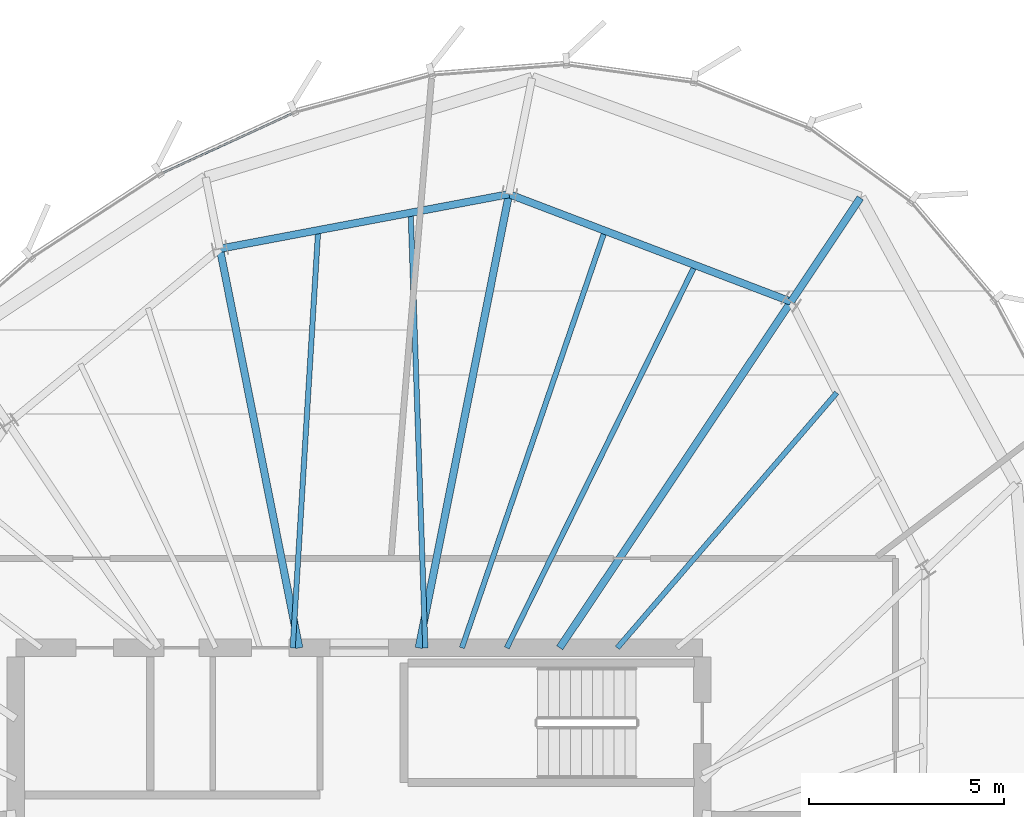
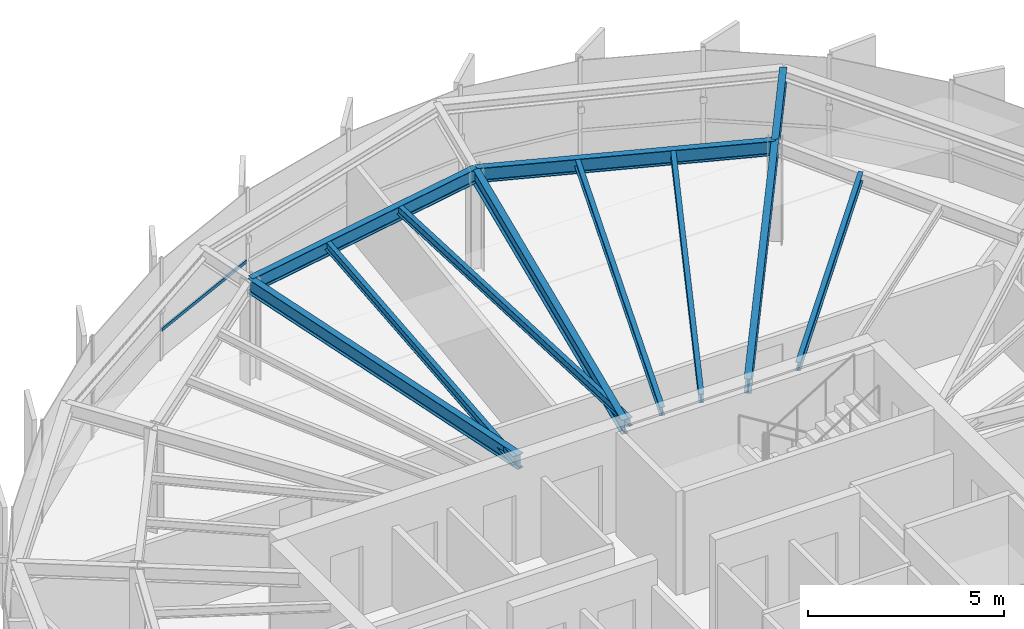
# One storey, part 21 of 32: 11 beams, 1 member, 1 element without a shape of its own.
"""IFC4 building model written with IfcOpenShell, lengths in metres."""

import ifcopenshell
import ifcopenshell.guid

model = None  # the IFC model being written
_history = None  # IfcOwnerHistory: only IFC2X3 demands one
_inside = {}  # id of a spatial element -> (the spatial element, [elements in it])
_under = {}  # id of a project, library or spatial element -> (it, [spatial elements below it])
_declared = {}  # id of a project -> (the project, [libraries it declares])
_typed = {}  # id of a type object -> (the type object, [elements of that type])
_made_of = {}  # id of a material, layer set ... -> (it, [elements and type objects made of it])


def new_model(schema):
    """Start an empty IFC model of exactly this schema.

    Asked for "IFC4X3", IfcOpenShell would pick the latest addendum, in which some entities
    have other attributes; the version numbers below select the first issue.
    IFC2X3 requires an IfcOwnerHistory on every rooted entity: one is made here for all.
    """
    global model, _history
    if schema == "IFC4X3":
        model = ifcopenshell.file(schema_version=(4, 3, 0, 0))
    else:
        model = ifcopenshell.file(schema=schema)
    _inside.clear()
    _under.clear()
    _declared.clear()
    _typed.clear()
    _made_of.clear()
    _history = None
    if model.schema == "IFC2X3":
        org = make("IfcOrganization", Name="unknown")
        user = make(
            "IfcPersonAndOrganization",
            ThePerson=make("IfcPerson", FamilyName="unknown"),
            TheOrganization=org,
        )
        app = make(
            "IfcApplication",
            ApplicationDeveloper=org,
            Version="unknown",
            ApplicationFullName="unknown",
            ApplicationIdentifier="unknown",
        )
        _history = make(
            "IfcOwnerHistory",
            OwningUser=user,
            OwningApplication=app,
            ChangeAction="ADDED",
            CreationDate=0,
        )
    return model


def make(cls, **values):
    """One entity of the class cls with the attributes given. An attribute that is None is left unset."""
    return model.create_entity(
        cls, **{name: value for name, value in values.items() if value is not None}
    )


def rooted(cls, **values):
    """An entity with a GlobalId (a new one), such as an element, a storey or a relation."""
    return make(cls, GlobalId=ifcopenshell.guid.new(), OwnerHistory=_history, **values)


def si_unit(unit_type, name, prefix=None):
    """IfcSIUnit, for example si_unit("LENGTHUNIT", "METRE", prefix="MILLI")."""
    return make("IfcSIUnit", UnitType=unit_type, Prefix=prefix, Name=name)


def assignment(units):
    """IfcUnitAssignment: the units of a project."""
    return None if units is None else make("IfcUnitAssignment", Units=units)


def point(xyz):
    """IfcCartesianPoint."""
    return None if xyz is None else make("IfcCartesianPoint", Coordinates=xyz)


def direction(xyz):
    """IfcDirection."""
    return None if xyz is None else make("IfcDirection", DirectionRatios=xyz)


def frame(location, z_axis=None, x_axis=None):
    """IfcAxis2Placement3D, a coordinate frame: its origin and axes. An axis left out is left unset."""
    return make(
        "IfcAxis2Placement3D",
        Location=point(location),
        Axis=direction(z_axis),
        RefDirection=direction(x_axis),
    )


def frame_2d(location, x_axis=None):
    """IfcAxis2Placement2D, a coordinate frame in the plane: its origin and x axis."""
    return make(
        "IfcAxis2Placement2D", Location=point(location), RefDirection=direction(x_axis)
    )


def origin():
    """The frame at (0, 0, 0) with its axes left unset."""
    return frame((0.0, 0.0, 0.0))


def origin_2d():
    """The frame at (0, 0) in the plane with its x axis left unset."""
    return frame_2d((0.0, 0.0))


def place(relative_to, where):
    """IfcLocalPlacement: puts the frame where relative to a parent placement (None: the world)."""
    return make(
        "IfcLocalPlacement", PlacementRelTo=relative_to, RelativePlacement=where
    )


def context(
    kind, dimensions, precision=None, world=None, true_north=None, identifier=None
):
    """IfcGeometricRepresentationContext, for example the 3D "Model" context."""
    return make(
        "IfcGeometricRepresentationContext",
        ContextIdentifier=identifier,
        ContextType=kind,
        CoordinateSpaceDimension=dimensions,
        Precision=precision,
        WorldCoordinateSystem=world,
        TrueNorth=true_north,
    )


def subcontext(parent, identifier, kind, view, scale=None):
    """IfcGeometricRepresentationSubContext, for example "Body" below "Model"."""
    return make(
        "IfcGeometricRepresentationSubContext",
        ContextIdentifier=identifier,
        ContextType=kind,
        ParentContext=parent,
        TargetScale=scale,
        TargetView=view,
    )


def project(units=None, contexts=None):
    """IfcProject with its units and contexts."""
    return rooted(
        "IfcProject",
        Name="project",
        RepresentationContexts=contexts,
        UnitsInContext=assignment(units),
    )


def spatial(cls, under=None, at=None, **own):
    """A site, building, storey or space (cls), placed at a placement, below another one or the project."""
    s = rooted(cls, ObjectPlacement=at, **own)
    if under is not None:
        _under.setdefault(under.id(), (under, []))[1].append(s)
    return s


def profile(cls, at=None, kind="AREA", **sizes):
    """A parametric profile (cls). Its sizes go by their IFC names, for example OverallWidth=200.0."""
    return make(cls, ProfileType=kind, Position=at, **sizes)


def hollow_rectangle(**sizes):
    """IfcRectangleHollowProfileDef."""
    return profile("IfcRectangleHollowProfileDef", **sizes)


def i_section(**sizes):
    """IfcIShapeProfileDef."""
    return profile("IfcIShapeProfileDef", **sizes)


def extrude(swept, where, along, depth):
    """IfcExtrudedAreaSolid: the profile swept, set in the frame where, extruded along a direction by depth."""
    return make(
        "IfcExtrudedAreaSolid",
        SweptArea=swept,
        Position=where,
        ExtrudedDirection=direction(along),
        Depth=depth,
    )


def shape(context_of_items, identifier, shape_type, items):
    """IfcShapeRepresentation: the items that make up one representation, for example the "Body"."""
    return make(
        "IfcShapeRepresentation",
        ContextOfItems=context_of_items,
        RepresentationIdentifier=identifier,
        RepresentationType=shape_type,
        Items=items,
    )


def source(mapping_origin, context_of_items, identifier, shape_type, items):
    """IfcRepresentationMap: a shape defined once, which mapped items show again and again."""
    return make(
        "IfcRepresentationMap",
        MappingOrigin=mapping_origin,
        MappedRepresentation=shape(context_of_items, identifier, shape_type, items),
    )


def transform(
    local_origin,
    x_axis=None,
    y_axis=None,
    z_axis=None,
    scale=None,
    scale2=None,
    scale3=None,
    uniform=True,
):
    """IfcCartesianTransformationOperator3D, or its non-uniform kind. x_axis, y_axis, z_axis: its Axis1, 2, 3."""
    if uniform:
        return make(
            "IfcCartesianTransformationOperator3D",
            Axis1=direction(x_axis),
            Axis2=direction(y_axis),
            LocalOrigin=point(local_origin),
            Scale=scale,
            Axis3=direction(z_axis),
        )
    return make(
        "IfcCartesianTransformationOperator3DnonUniform",
        Axis1=direction(x_axis),
        Axis2=direction(y_axis),
        LocalOrigin=point(local_origin),
        Scale=scale,
        Axis3=direction(z_axis),
        Scale2=scale2,
        Scale3=scale3,
    )


def mapped(mapping_source, mapping_target):
    """IfcMappedItem: shows the shape of a source again, moved by a transform."""
    return make(
        "IfcMappedItem", MappingSource=mapping_source, MappingTarget=mapping_target
    )


def material(Name=None, Category=None):
    """IfcMaterial."""
    return make("IfcMaterial", Name=Name, Category=Category)


def layer(
    of_material, thickness, ventilated=None, Name=None, Category=None, Priority=None
):
    """IfcMaterialLayer: one layer of a wall or slab, of a material (None: an air gap)."""
    return make(
        "IfcMaterialLayer",
        Material=of_material,
        LayerThickness=thickness,
        IsVentilated=ventilated,
        Name=Name,
        Category=Category,
        Priority=Priority,
    )


def layer_set(layers, Name=None):
    """IfcMaterialLayerSet."""
    return make("IfcMaterialLayerSet", MaterialLayers=layers, LayerSetName=Name)


def material_profile(
    of_material, cross_section, Name=None, Category=None, Priority=None
):
    """IfcMaterialProfile: a cross section and its material."""
    return make(
        "IfcMaterialProfile",
        Name=Name,
        Material=of_material,
        Profile=cross_section,
        Priority=Priority,
        Category=Category,
    )


def profile_set(profiles, Name=None, composite=None):
    """IfcMaterialProfileSet."""
    return make(
        "IfcMaterialProfileSet",
        Name=Name,
        MaterialProfiles=profiles,
        CompositeProfile=composite,
    )


def made_of(thing, what):
    """Note that an element or type object is made of a material, layer set ...; save() writes the relation."""
    if what is not None:
        _made_of.setdefault(what.id(), (what, []))[1].append(thing)
    return thing


def type_object(cls, material=None, **own):
    """A type object (cls), such as IfcWallType, which elements share."""
    return made_of(rooted(cls, **own), material)


def element(
    cls,
    number,
    at=None,
    inside=None,
    cuts=None,
    type_object=None,
    material=None,
    context=None,
    identifier="Body",
    shape_type=None,
    held_by="IfcProductDefinitionShape",
    body=None,
    shapes=None,
    **own,
):
    """One element of the class cls, such as IfcWall. Its Tag is "e" and its number.

    at: its placement. inside: the storey or other place that contains it. cuts: it is an
    opening in that element (IfcRelVoidsElement). A single representation is given by context,
    identifier, shape_type and body (its items); several are given by shapes. held_by: the class
    of the entity that holds the representations. save() writes the other relations.
    """
    e = rooted(cls, Tag="e%d" % number, ObjectPlacement=at, **own)
    if body is not None:
        shapes = [shape(context, identifier, shape_type, body)]
    if shapes is not None:
        e.Representation = make(held_by, Representations=shapes)
    if inside is not None:
        _inside.setdefault(inside.id(), (inside, []))[1].append(e)
    if cuts is not None:
        rooted(
            "IfcRelVoidsElement", RelatingBuildingElement=cuts, RelatedOpeningElement=e
        )
    if type_object is not None:
        _typed.setdefault(type_object.id(), (type_object, []))[1].append(e)
    return made_of(e, material)


def aggregate(whole, parts):
    """IfcRelAggregates: a whole, such as a stair, and the parts it consists of."""
    return rooted("IfcRelAggregates", RelatingObject=whole, RelatedObjects=parts)


def save(model, path):
    """Write the relations noted so far, then the file.

    IfcRelAggregates (storeys below a building ...), IfcRelContainedInSpatialStructure (elements
    in a storey), IfcRelDefinesByType, IfcRelAssociatesMaterial and IfcRelDeclares: one each for
    every whole, place, type object, material and project.
    """
    for whole, parts in _under.values():
        aggregate(whole, parts)
    for where, things in _inside.values():
        rooted(
            "IfcRelContainedInSpatialStructure",
            RelatedElements=things,
            RelatingStructure=where,
        )
    for kind, things in _typed.values():
        rooted("IfcRelDefinesByType", RelatedObjects=things, RelatingType=kind)
    for what, things in _made_of.values():
        rooted("IfcRelAssociatesMaterial", RelatedObjects=things, RelatingMaterial=what)
    for by, libraries in _declared.values():
        rooted("IfcRelDeclares", RelatingContext=by, RelatedDefinitions=libraries)
    model.write(path)


model = new_model("IFC4")

# Units and contexts
model_context = context("Model", 3, precision=1e-05, world=origin(), true_north=direction((0.0, 1.0)))
body_context = subcontext(model_context, "Body", "Model", "MODEL_VIEW")
ifc_project = project(units=[si_unit("LENGTHUNIT", "METRE"), si_unit("AREAUNIT", "SQUARE_METRE"), si_unit("VOLUMEUNIT", "CUBIC_METRE"), si_unit("PLANEANGLEUNIT", "RADIAN"), si_unit("MASSUNIT", "GRAM", prefix="KILO"), si_unit("THERMODYNAMICTEMPERATUREUNIT", "KELVIN")], contexts=[model_context])

# Site, building, storey
site_placement = place(None, origin())
site = spatial("IfcSite", under=ifc_project, at=site_placement, CompositionType="ELEMENT")
building_placement = place(site_placement, origin())
building = spatial("IfcBuilding", under=site, at=building_placement, Name="Kethvar Cultural Tower", CompositionType="ELEMENT")
storey_placement = place(building_placement, frame((0.0, 0.0, 280.14990234375)))
storey = spatial("IfcBuildingStorey", under=building, at=storey_placement, Name="L74", CompositionType="ELEMENT", Elevation=280.14990234375)

# Beams
ifc_material_1 = material(Name="Steel S355J2", Category="steel")
ifc_material_profile_1 = material_profile(ifc_material_1, i_section(OverallWidth=0.18994140625, OverallDepth=0.449951171875, WebThickness=0.009521484375, FlangeThickness=0.0146484375, FilletRadius=0.02099609375, at=origin_2d()), Name="Steel S355J2 — IPE450")
ifc_profile_set_1 = profile_set([ifc_material_profile_1], Name="Steel S355J2 — IPE450")
beam_type_1 = type_object("IfcBeamType", Name="BM-IPE450", PredefinedType="BEAM", material=ifc_profile_set_1)
shared_shape_1 = source(origin(), body_context, "Body", "SweptSolid", [
    extrude(i_section(OverallWidth=0.18994140625, OverallDepth=0.449951171875, WebThickness=0.009521484375, FlangeThickness=0.0146484375, FilletRadius=0.02099609375, at=origin_2d()), origin(), (0.0, 0.0, 1.0), 10.673828125),
])
beam_1_placement = place(storey_placement, frame((51.945068359375, 35.5, 2.983154296875), z_axis=(0.555576086183, 0.831465701314, 0.0), x_axis=(-0.831465701314, 0.555576086183, 0.0)))
element("IfcBeam", 1, at=beam_1_placement, inside=storey, type_object=beam_type_1, Name="L74 Primary Radial Beam RB-03", PredefinedType="BEAM", context=body_context, shape_type="MappedRepresentation", body=[
    mapped(shared_shape_1, transform((0.0, 0.0, 0.0), scale=1.0)),
])
shared_shape_2 = source(origin(), body_context, "Body", "SweptSolid", [
    extrude(i_section(OverallWidth=0.18994140625, OverallDepth=0.449951171875, WebThickness=0.009521484375, FlangeThickness=0.0146484375, FilletRadius=0.02099609375, at=origin_2d()), origin(), (0.0, 0.0, 1.0), 3.2001953125),
])
beam_2_placement = place(storey_placement, frame((57.875244140625, 44.375, 2.983154296875), z_axis=(0.555544970406, 0.831486491686, 0.0), x_axis=(-0.831486491686, 0.555544970406, 0.0)))
element("IfcBeam", 2, at=beam_2_placement, inside=storey, type_object=beam_type_1, Name="L74 Perimeter Cantilever Beam RC-03", PredefinedType="BEAM", context=body_context, shape_type="MappedRepresentation", body=[
    mapped(shared_shape_2, transform((0.0, 0.0, 0.0), scale=1.0)),
])
shared_shape_3 = source(origin(), body_context, "Body", "SweptSolid", [
    extrude(i_section(OverallWidth=0.18994140625, OverallDepth=0.449951171875, WebThickness=0.009521484375, FlangeThickness=0.0146484375, FilletRadius=0.02099609375, at=origin_2d()), origin(), (0.0, 0.0, 1.0), 11.859375),
])
beam_3_placement = place(storey_placement, frame((48.33154296875, 35.5, 2.983154296875), z_axis=(0.195094640585, 0.980784421377, 0.0), x_axis=(-0.980784421377, 0.195094640585, 0.0)))
element("IfcBeam", 3, at=beam_3_placement, inside=storey, type_object=beam_type_1, Name="L74 Primary Radial Beam RB-04", PredefinedType="BEAM", context=body_context, shape_type="MappedRepresentation", body=[
    mapped(shared_shape_3, transform((0.0, 0.0, 0.0), scale=1.0)),
])
shared_shape_4 = source(origin(), body_context, "Body", "SweptSolid", [
    extrude(i_section(OverallWidth=0.18994140625, OverallDepth=0.449951171875, WebThickness=0.009521484375, FlangeThickness=0.0146484375, FilletRadius=0.02099609375, at=origin_2d()), origin(), (0.0, 0.0, 1.0), 10.432861328125),
])
beam_4_placement = place(storey_placement, frame((45.268310546875, 35.5, 2.983154296875), z_axis=(-0.195094483249, 0.980784452673, 0.0), x_axis=(-0.980784452673, -0.195094483249, 0.0)))
element("IfcBeam", 4, at=beam_4_placement, inside=storey, type_object=beam_type_1, Name="L74 Primary Radial Beam RB-05", PredefinedType="BEAM", context=body_context, shape_type="MappedRepresentation", body=[
    mapped(shared_shape_4, transform((0.0, 0.0, 0.0), scale=1.0)),
])
ifc_material_profile_2 = material_profile(ifc_material_1, i_section(OverallWidth=0.135009765625, OverallDepth=0.27001953125, WebThickness=0.006591796875, FlangeThickness=0.01025390625, FilletRadius=0.014892578125, at=origin_2d()), Name="Steel S355J2 — IPE270")
ifc_profile_set_2 = profile_set([ifc_material_profile_2], Name="Steel S355J2 — IPE270")
beam_type_2 = type_object("IfcBeamType", Name="BM-J270", PredefinedType="JOIST", material=ifc_profile_set_2)
shared_shape_5 = source(origin(), body_context, "Body", "SweptSolid", [
    extrude(i_section(OverallWidth=0.135009765625, OverallDepth=0.27001953125, WebThickness=0.006591796875, FlangeThickness=0.01025390625, FilletRadius=0.014892578125, at=origin_2d()), origin(), (0.0, 0.0, 1.0), 8.6259765625),
])
beam_5_placement = place(storey_placement, frame((53.42333984375, 35.5, 3.072998046875), z_axis=(0.65210499689, 0.758128665222, 0.0), x_axis=(-0.758128665222, 0.65210499689, 0.0)))
element("IfcBeam", 5, at=beam_5_placement, inside=storey, type_object=beam_type_2, Name="L74 Composite Floor Joist J-02B", PredefinedType="JOIST", context=body_context, shape_type="MappedRepresentation", body=[
    mapped(shared_shape_5, transform((0.0, 0.0, 0.0), scale=1.0)),
])
shared_shape_6 = source(origin(), body_context, "Body", "SweptSolid", [
    extrude(i_section(OverallWidth=0.18994140625, OverallDepth=0.449951171875, WebThickness=0.009521484375, FlangeThickness=0.0146484375, FilletRadius=0.02099609375, at=origin_2d()), origin(), (0.0, 0.0, 1.0), 7.737548828125),
])
beam_6_placement = place(storey_placement, frame((57.875244140625, 44.375, 2.983154296875), z_axis=(-0.934388230776, 0.356256416347, 0.0), x_axis=(-0.356256416347, -0.934388230776, 0.0)))
element("IfcBeam", 6, at=beam_6_placement, inside=storey, type_object=beam_type_1, Name="L74 Column Ring Tie Beam CR-03", PredefinedType="BEAM", context=body_context, shape_type="MappedRepresentation", body=[
    mapped(shared_shape_6, transform((0.0, 0.0, 0.0), scale=1.0)),
])
shared_shape_7 = source(origin(), body_context, "Body", "SweptSolid", [
    extrude(i_section(OverallWidth=0.135009765625, OverallDepth=0.27001953125, WebThickness=0.006591796875, FlangeThickness=0.01025390625, FilletRadius=0.014892578125, at=origin_2d()), origin(), (0.0, 0.0, 1.0), 10.935791015625),
])
beam_7_placement = place(storey_placement, frame((50.5888671875, 35.5, 3.072998046875), z_axis=(0.441498236677, 0.897262117227, 0.0), x_axis=(-0.897262117227, 0.441498236677, 0.0)))
element("IfcBeam", 7, at=beam_7_placement, inside=storey, type_object=beam_type_2, Name="L74 Composite Floor Joist J-03A", PredefinedType="JOIST", context=body_context, shape_type="MappedRepresentation", body=[
    mapped(shared_shape_7, transform((0.0, 0.0, 0.0), scale=1.0)),
])
shared_shape_8 = source(origin(), body_context, "Body", "SweptSolid", [
    extrude(i_section(OverallWidth=0.135009765625, OverallDepth=0.27001953125, WebThickness=0.006591796875, FlangeThickness=0.01025390625, FilletRadius=0.014892578125, at=origin_2d()), origin(), (0.0, 0.0, 1.0), 11.304931640625),
])
beam_8_placement = place(storey_placement, frame((49.438720703125, 35.5, 3.072998046875), z_axis=(0.324179110764, 0.945995720997, 0.0), x_axis=(-0.945995720997, 0.324179110764, 0.0)))
element("IfcBeam", 8, at=beam_8_placement, inside=storey, type_object=beam_type_2, Name="L74 Composite Floor Joist J-03B", PredefinedType="JOIST", context=body_context, shape_type="MappedRepresentation", body=[
    mapped(shared_shape_8, transform((0.0, 0.0, 0.0), scale=1.0)),
])
shared_shape_9 = source(origin(), body_context, "Body", "SweptSolid", [
    extrude(i_section(OverallWidth=0.18994140625, OverallDepth=0.449951171875, WebThickness=0.009521484375, FlangeThickness=0.0146484375, FilletRadius=0.02099609375, at=origin_2d()), origin(), (0.0, 0.0, 1.0), 7.543212890625),
])
beam_9_placement = place(storey_placement, frame((50.645263671875, 47.131591796875, 2.983154296875), z_axis=(-0.982646853086, -0.185486285532, 0.0), x_axis=(0.185486285532, -0.982646853086, 0.0)))
element("IfcBeam", 9, at=beam_9_placement, inside=storey, type_object=beam_type_1, Name="L74 Column Ring Tie Beam CR-04", PredefinedType="BEAM", context=body_context, shape_type="MappedRepresentation", body=[
    mapped(shared_shape_9, transform((0.0, 0.0, 0.0), scale=1.0)),
])
shared_shape_10 = source(origin(), body_context, "Body", "SweptSolid", [
    extrude(i_section(OverallWidth=0.135009765625, OverallDepth=0.27001953125, WebThickness=0.006591796875, FlangeThickness=0.01025390625, FilletRadius=0.014892578125, at=origin_2d()), origin(), (0.0, 0.0, 1.0), 11.162109375),
])
beam_10_placement = place(storey_placement, frame((48.5, 35.5, 3.072998046875), z_axis=(-0.0335959409, 0.999435497046, 0.0), x_axis=(-0.999435497046, -0.0335959409, 0.0)))
element("IfcBeam", 10, at=beam_10_placement, inside=storey, type_object=beam_type_2, Name="L74 Composite Floor Joist J-04A", PredefinedType="JOIST", context=body_context, shape_type="MappedRepresentation", body=[
    mapped(shared_shape_10, transform((0.0, 0.0, 0.0), scale=1.0)),
])
shared_shape_11 = source(origin(), body_context, "Body", "SweptSolid", [
    extrude(i_section(OverallWidth=0.135009765625, OverallDepth=0.27001953125, WebThickness=0.006591796875, FlangeThickness=0.01025390625, FilletRadius=0.014892578125, at=origin_2d()), origin(), (0.0, 0.0, 1.0), 10.727783203125),
])
beam_11_placement = place(storey_placement, frame((45.10009765625, 35.5, 3.072998046875), z_axis=(0.060876395586, 0.998145312297, 0.0), x_axis=(-0.998145312297, 0.060876395586, 0.0)))
element("IfcBeam", 11, at=beam_11_placement, inside=storey, type_object=beam_type_2, Name="L74 Composite Floor Joist J-04B", PredefinedType="JOIST", context=body_context, shape_type="MappedRepresentation", body=[
    mapped(shared_shape_11, transform((0.0, 0.0, 0.0), scale=1.0)),
])

# Curtain wall, member
ifc_material_2 = material(Name="Aluminium 6063-T6", Category="aluminium")
ifc_layer = layer(ifc_material_2, 0.179931640625, Name="Aluminium 6063-T6", Category="aluminium")
ifc_layer_set = layer_set([ifc_layer], Name="Aluminium 6063-T6 (180 mm)")
curtain_wall_type = type_object("IfcCurtainWallType", Name="CW-SYS-05-Z56", PredefinedType="NOTDEFINED", material=ifc_layer_set)
curtain_wall_placement = place(storey_placement, origin())
curtain_wall = element("IfcCurtainWall", 12, at=curtain_wall_placement, inside=storey, type_object=curtain_wall_type, Name="L74 Curtain Wall Run 01", PredefinedType="NOTDEFINED")
ifc_material_profile_3 = material_profile(ifc_material_2, hollow_rectangle(XDim=0.050048828125, YDim=0.10009765625, WallThickness=0.00390625, at=origin_2d()), Name="Aluminium 6063-T6 — RHS100x50x4")
ifc_profile_set_3 = profile_set([ifc_material_profile_3], Name="Aluminium 6063-T6 — RHS100x50x4")
member_type = type_object("IfcMemberType", Name="CW-SYS-05-Z56-TRN", PredefinedType="USERDEFINED", material=ifc_profile_set_3)
shared_shape_12 = source(origin(), body_context, "Body", "SweptSolid", [
    extrude(hollow_rectangle(XDim=0.050048828125, YDim=0.10009765625, WallThickness=0.00390625, at=origin_2d()), origin(), (0.0, 0.0, 1.0), 3.734130859375),
])
member_placement = place(storey_placement, frame((45.1171875, 49.21240234375, 0.9501953125), z_axis=(-0.908970904748, -0.41685956187, 0.0), x_axis=(0.41685956187, -0.908970904748, 0.0)))
member = element("IfcMember", 13, at=member_placement, type_object=member_type, Name="CW-L74-R01 Transom 5", ObjectType="TRANSOM", PredefinedType="USERDEFINED", context=body_context, shape_type="MappedRepresentation", body=[
    mapped(shared_shape_12, transform((0.0, 0.0, 0.0), scale=1.0)),
])
aggregate(curtain_wall, [member])

save(model, "model.ifc")
